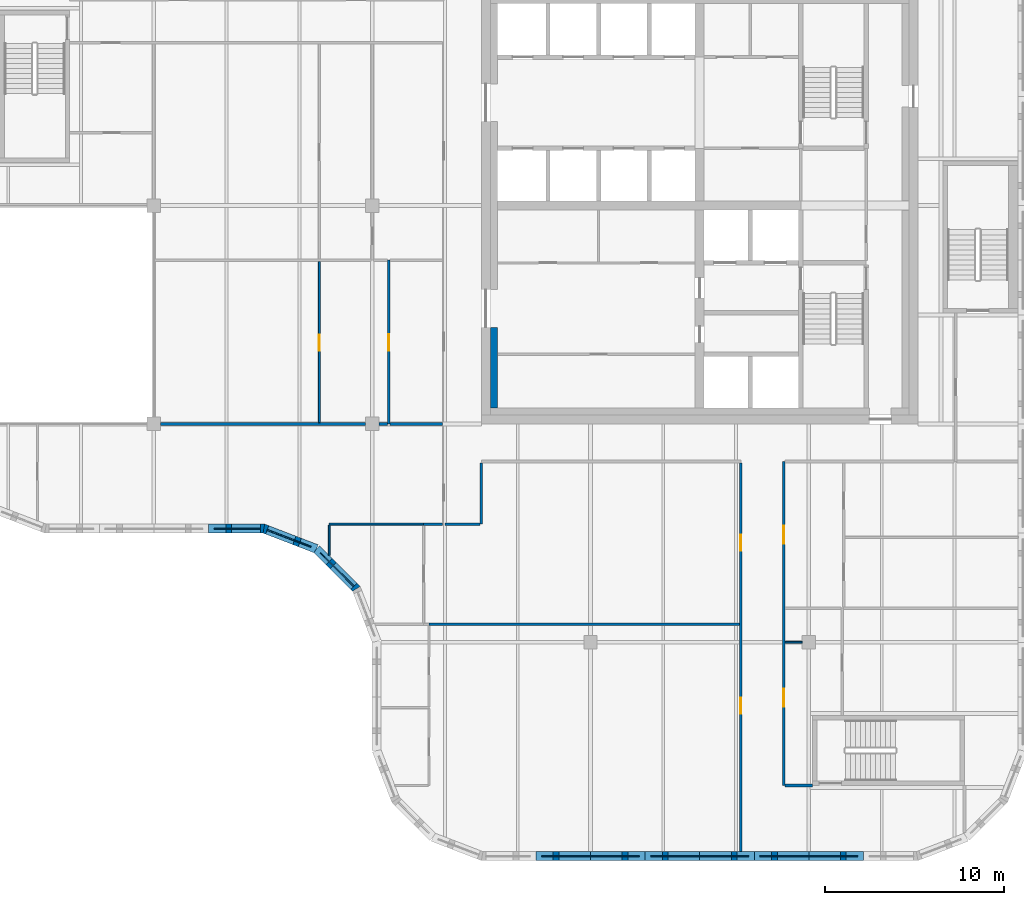
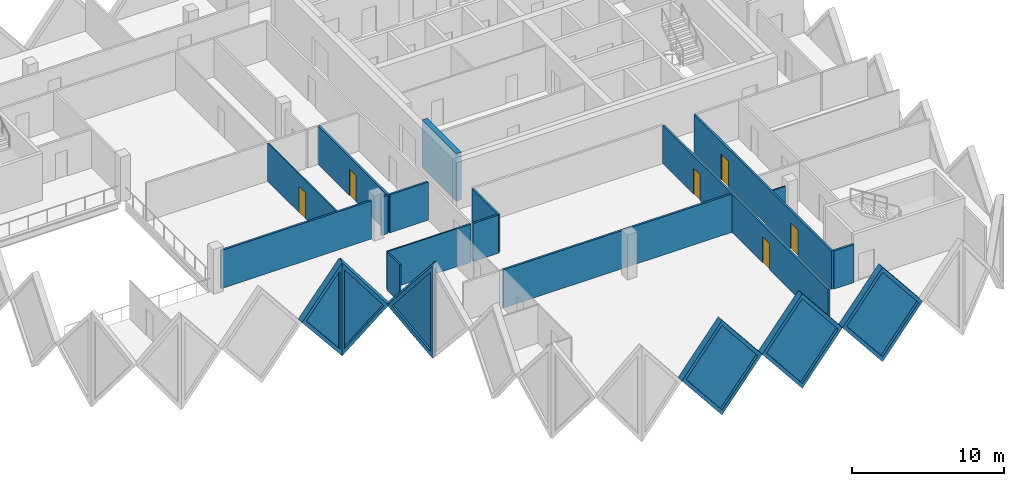
# One storey, part 4 of 11: 22 walls, 6 doors, 6 plates, 12 openings.
"""IFC4 building model written with IfcOpenShell, lengths in metres."""

from ifc_helpers import new_model, si_unit, direction, frame, frame_2d, origin, place, context, subcontext, project, spatial, polyline, rectangle, outline, extrude, faceted_brep, source, transform, mapped, material, layer, layer_set, type_object, element, fill, save


model = new_model("IFC4")

# Units and contexts
model_context = context("Model", 3, precision=1e-05, world=origin(), true_north=direction((0.0, 1.0)))
body_context = subcontext(model_context, "Body", "Model", "MODEL_VIEW")
ifc_project = project(units=[si_unit("LENGTHUNIT", "METRE"), si_unit("AREAUNIT", "SQUARE_METRE"), si_unit("VOLUMEUNIT", "CUBIC_METRE"), si_unit("PLANEANGLEUNIT", "RADIAN"), si_unit("MASSUNIT", "GRAM", prefix="KILO")], contexts=[model_context])

# Site, building, storey
site_placement = place(None, origin())
site = spatial("IfcSite", under=ifc_project, at=site_placement, CompositionType="ELEMENT")
building_placement = place(site_placement, origin())
building = spatial("IfcBuilding", under=site, at=building_placement, Name="Tessera Gate Towers", CompositionType="ELEMENT")
storey_placement = place(building_placement, frame((0.0, 0.0, 205.5)))
storey = spatial("IfcBuildingStorey", under=building, at=storey_placement, Name="L51", CompositionType="ELEMENT", Elevation=205.5)

# Wall
ifc_material_1 = material(Name="Concrete C50/60", Category="concrete")
ifc_layer_1 = layer(ifc_material_1, 0.39990234375)
ifc_layer_set_1 = layer_set([ifc_layer_1], Name="CORE WALL THICKENING 400")
wall_type_1 = type_object("IfcWallType", Name="CORE WALL THICKENING 400", PredefinedType="SOLIDWALL", material=ifc_layer_set_1)
wall_1_placement = place(storey_placement, frame((31.199951171875, 25.300048828125, 0.0), z_axis=(0.0, 0.0, 1.0), x_axis=(0.0, 1.0, 0.0)))
element("IfcWall", 1, at=wall_1_placement, inside=storey, type_object=wall_type_1, Name="Core wall thickening W L51", PredefinedType="SOLIDWALL", context=body_context, shape_type="SweptSolid", body=[
    extrude(rectangle(XDim=4.5, YDim=0.39990234375, at=frame_2d((2.25, 0.0))), origin(), (0.0, 0.0, 1.0), 3.800048828125),
])

# Wall, openings, doors
ifc_material_2 = material(Name="Gypsum board on steel studs, mineral wool", Category="steel")
ifc_layer_2 = layer(ifc_material_2, 0.14990234375)
ifc_layer_set_2 = layer_set([ifc_layer_2], Name="CORRIDOR WALL 150")
wall_type_2 = type_object("IfcWallType", Name="CORRIDOR WALL 150", PredefinedType="PARTITIONING", material=ifc_layer_set_2)
wall_2_placement = place(storey_placement, frame((45.0, 0.5, 0.0), z_axis=(0.0, 0.0, 1.0), x_axis=(0.0, 1.0, 0.0)))
wall_2 = element("IfcWall", 2, at=wall_2_placement, inside=storey, type_object=wall_type_2, Name="T1-L51-PW-001", PredefinedType="PARTITIONING", context=body_context, shape_type="SweptSolid", body=[
    extrude(rectangle(XDim=21.72412109375, YDim=0.14990234375, at=frame_2d((10.862060546875, 0.0))), origin(), (0.0, 0.0, 1.0), 3.06689453125),
])
shared_shape_1 = source(origin(), body_context, "Body", "SweptSolid", [
    extrude(rectangle(XDim=0.89990234375, YDim=2.10009765625, at=frame_2d((0.449951171875, 1.050048828125))), frame((0.0, 0.0849609375, 0.0), z_axis=(0.0, -1.0, 0.0), x_axis=(1.0, 0.0, 0.0)), (0.0, 0.0, 1.0), 0.169921875),
])
opening_1_placement = place(wall_2_placement, frame((7.699951171875, 0.0, 0.0)))
opening_1 = element("IfcOpeningElement", 3, at=opening_1_placement, cuts=wall_2, Name="Opening D890FD60-A18-03", PredefinedType="OPENING", context=body_context, shape_type="MappedRepresentation", body=[
    mapped(shared_shape_1, transform((0.0, 0.0, 0.0), scale=1.0)),
])
opening_2_placement = place(wall_2_placement, frame((16.800048828125, 0.0, 0.0)))
opening_2 = element("IfcOpeningElement", 4, at=opening_2_placement, cuts=wall_2, Name="Opening D890FD60-A18-04", PredefinedType="OPENING", context=body_context, shape_type="MappedRepresentation", body=[
    mapped(shared_shape_1, transform((0.0, 0.0, 0.0), scale=1.0)),
])
ifc_material_3 = material(Name="Timber door leaf in steel frame", Category="steel")
door_type_1 = type_object("IfcDoorType", Name="CORRIDOR DOOR 900 FD60", OperationType="NOTDEFINED", PredefinedType="DOOR", material=ifc_material_3)
shared_shape_2 = source(origin(), body_context, "Body", "SweptSolid", [
    extrude(rectangle(XDim=0.89990234375, YDim=2.10009765625, at=frame_2d((0.449951171875, 1.050048828125))), frame((0.0, 0.02490234375, 0.0), z_axis=(0.0, -1.0, 0.0), x_axis=(1.0, 0.0, 0.0)), (0.0, 0.0, 1.0), 0.050048828125),
])
door_1_placement = place(opening_1_placement, origin())
door_1 = element("IfcDoor", 5, at=door_1_placement, inside=storey, type_object=door_type_1, Name="T1-L51-PD-015", OperationType="SINGLE_SWING_LEFT", OverallHeight=2.10009765625, OverallWidth=0.89990234375, PredefinedType="DOOR", context=body_context, shape_type="MappedRepresentation", body=[
    mapped(shared_shape_2, transform((0.0, 0.0, 0.0), scale=1.0)),
])
fill(opening_1, door_1)
door_2_placement = place(opening_2_placement, origin())
door_2 = element("IfcDoor", 6, at=door_2_placement, inside=storey, type_object=door_type_1, Name="T1-L51-PD-016", OperationType="SINGLE_SWING_LEFT", OverallHeight=2.10009765625, OverallWidth=0.89990234375, PredefinedType="DOOR", context=body_context, shape_type="MappedRepresentation", body=[
    mapped(shared_shape_2, transform((0.0, 0.0, 0.0), scale=1.0)),
])
fill(opening_2, door_2)

wall_3_placement = place(storey_placement, frame((47.39990234375, 22.300048828125, 0.0), z_axis=(0.0, 0.0, 1.0), x_axis=(0.0, -1.0, 0.0)))
wall_3 = element("IfcWall", 7, at=wall_3_placement, inside=storey, type_object=wall_type_2, Name="T1-L51-PW-005", PredefinedType="PARTITIONING", context=body_context, shape_type="SweptSolid", body=[
    extrude(rectangle(XDim=18.10009765625, YDim=0.14990234375, at=frame_2d((9.050048828125, 0.0))), origin(), (0.0, 0.0, 1.0), 3.06689453125),
])
shared_shape_3 = source(origin(), body_context, "Body", "SweptSolid", [
    extrude(rectangle(XDim=1.0, YDim=2.10009765625, at=frame_2d((0.5, 1.050048828125))), frame((0.0, 0.0849609375, 0.0), z_axis=(0.0, -1.0, 0.0), x_axis=(1.0, 0.0, 0.0)), (0.0, 0.0, 1.0), 0.169921875),
])
opening_3_placement = place(wall_3_placement, frame((3.59912109375, 0.0, 0.0)))
opening_3 = element("IfcOpeningElement", 8, at=opening_3_placement, cuts=wall_3, Name="Opening D2100FD60-A18-02", PredefinedType="OPENING", context=body_context, shape_type="MappedRepresentation", body=[
    mapped(shared_shape_3, transform((0.0, 0.0, 0.0), scale=1.0)),
])
opening_4_placement = place(wall_3_placement, frame((12.699951171875, 0.0, 0.0)))
opening_4 = element("IfcOpeningElement", 9, at=opening_4_placement, cuts=wall_3, Name="Opening D2100FD60-A18-05", PredefinedType="OPENING", context=body_context, shape_type="MappedRepresentation", body=[
    mapped(shared_shape_3, transform((0.0, 0.0, 0.0), scale=1.0)),
])
ifc_material_4 = material(Name="Timber door leaf in steel frame", Category="steel")
door_type_2 = type_object("IfcDoorType", Name="TENANCY ENTRANCE DOOR 1000 FD60", OperationType="NOTDEFINED", PredefinedType="DOOR", material=ifc_material_4)
shared_shape_4 = source(origin(), body_context, "Body", "SweptSolid", [
    extrude(rectangle(XDim=1.0, YDim=2.10009765625, at=frame_2d((0.5, 1.050048828125))), frame((0.0, 0.02490234375, 0.0), z_axis=(0.0, -1.0, 0.0), x_axis=(1.0, 0.0, 0.0)), (0.0, 0.0, 1.0), 0.050048828125),
])
door_3_placement = place(opening_3_placement, origin())
door_3 = element("IfcDoor", 10, at=door_3_placement, inside=storey, type_object=door_type_2, Name="T1-L51-PD-011", OperationType="SINGLE_SWING_RIGHT", OverallHeight=2.10009765625, OverallWidth=1.0, PredefinedType="DOOR", context=body_context, shape_type="MappedRepresentation", body=[
    mapped(shared_shape_4, transform((0.0, 0.0, 0.0), scale=1.0)),
])
fill(opening_3, door_3)
door_4_placement = place(opening_4_placement, origin())
door_4 = element("IfcDoor", 11, at=door_4_placement, inside=storey, type_object=door_type_2, Name="T1-L51-PD-021", OperationType="SINGLE_SWING_RIGHT", OverallHeight=2.10009765625, OverallWidth=1.0, PredefinedType="DOOR", context=body_context, shape_type="MappedRepresentation", body=[
    mapped(shared_shape_4, transform((0.0, 0.0, 0.0), scale=1.0)),
])
fill(opening_4, door_4)

# Walls
wall_4_placement = place(storey_placement, frame((47.47607421875, 4.199951171875, 0.0), z_axis=(0.0, 0.0, 1.0), x_axis=(1.0, 0.0, 0.0)))
element("IfcWall", 12, at=wall_4_placement, inside=storey, type_object=wall_type_2, Name="T1-L51-PW-006", PredefinedType="PARTITIONING", context=body_context, shape_type="SweptSolid", body=[
    extrude(rectangle(XDim=1.52392578125, YDim=0.14990234375, at=frame_2d((0.761962890625, 0.0))), origin(), (0.0, 0.0, 1.0), 3.06689453125),
])
wall_5_placement = place(storey_placement, frame((28.47607421875, 18.800048828125, 0.0), z_axis=(0.0, 0.0, 1.0), x_axis=(1.0, 0.0, 0.0)))
element("IfcWall", 13, at=wall_5_placement, inside=storey, type_object=wall_type_2, Name="T1-L51-PW-023", PredefinedType="PARTITIONING", context=body_context, shape_type="SweptSolid", body=[
    extrude(rectangle(XDim=1.947998046875, YDim=0.14990234375, at=frame_2d((0.97412109375, 0.0))), origin(), (0.0, 0.0, 1.0), 3.06689453125),
])
wall_6_placement = place(storey_placement, frame((30.5, 18.800048828125, 0.0), z_axis=(0.0, 0.0, 1.0), x_axis=(0.0, 1.0, 0.0)))
element("IfcWall", 14, at=wall_6_placement, inside=storey, type_object=wall_type_2, Name="T1-L51-PW-024", PredefinedType="PARTITIONING", context=body_context, shape_type="SweptSolid", body=[
    extrude(rectangle(XDim=3.424072265625, YDim=0.14990234375, at=frame_2d((1.7119140625, 0.0))), origin(), (0.0, 0.0, 1.0), 3.06689453125),
])
ifc_material_5 = material(Name="Glass", Category="glass")
ifc_layer_3 = layer(ifc_material_5, 0.10009765625)
ifc_layer_set_3 = layer_set([ifc_layer_3], Name="GLAZED PARTITION 100")
wall_type_3 = type_object("IfcWallType", Name="GLAZED PARTITION 100", PredefinedType="PARTITIONING", material=ifc_layer_set_3)
wall_7_placement = place(storey_placement, frame((22.0, 17.054931640625, 0.0), z_axis=(0.0, 0.0, 1.0), x_axis=(0.0, 1.0, 0.0)))
element("IfcWall", 15, at=wall_7_placement, inside=storey, type_object=wall_type_3, Name="T1-L51-PW-018", PredefinedType="PARTITIONING", context=body_context, shape_type="SweptSolid", body=[
    extrude(rectangle(XDim=1.694091796875, YDim=0.10009765625, at=frame_2d((0.84716796875, 0.0))), origin(), (0.0, 0.0, 1.0), 3.06689453125),
])
wall_8_placement = place(storey_placement, frame((22.0, 18.800048828125, 0.0), z_axis=(0.0, 0.0, 1.0), x_axis=(1.0, 0.0, 0.0)))
element("IfcWall", 16, at=wall_8_placement, inside=storey, type_object=wall_type_3, Name="T1-L51-PW-020", PredefinedType="PARTITIONING", context=body_context, shape_type="SweptSolid", body=[
    extrude(rectangle(XDim=5.27392578125, YDim=0.10009765625, at=frame_2d((2.636962890625, 0.0))), origin(), (0.0, 0.0, 1.0), 3.06689453125),
])
ifc_material_6 = material(Name="Gypsum board on steel studs", Category="steel")
ifc_layer_4 = layer(ifc_material_6, 0.10009765625)
ifc_layer_set_4 = layer_set([ifc_layer_4], Name="PARTITION 100")
wall_type_4 = type_object("IfcWallType", Name="PARTITION 100", PredefinedType="PARTITIONING", material=ifc_layer_set_4)
wall_9_placement = place(storey_placement, frame((48.425048828125, 12.199951171875, 0.0), z_axis=(0.0, 0.0, 1.0), x_axis=(-1.0, 0.0, 0.0)))
element("IfcWall", 17, at=wall_9_placement, inside=storey, type_object=wall_type_4, Name="T1-L51-PW-010", PredefinedType="PARTITIONING", context=body_context, shape_type="SweptSolid", body=[
    extrude(rectangle(XDim=0.949951171875, YDim=0.10009765625, at=frame_2d((0.47509765625, 0.0))), origin(), (0.0, 0.0, 1.0), 3.06689453125),
])

# Wall, opening, door
wall_10_placement = place(storey_placement, frame((21.449951171875, 24.47607421875, 0.0), z_axis=(0.0, 0.0, 1.0), x_axis=(0.0, 1.0, 0.0)))
wall_10 = element("IfcWall", 18, at=wall_10_placement, inside=storey, type_object=wall_type_4, Name="T1-L51-PW-034", PredefinedType="PARTITIONING", context=body_context, shape_type="SweptSolid", body=[
    extrude(rectangle(XDim=8.998046875, YDim=0.10009765625, at=frame_2d((4.4990234375, 0.0))), origin(), (0.0, 0.0, 1.0), 3.06689453125),
])
shared_shape_5 = source(origin(), body_context, "Body", "SweptSolid", [
    extrude(rectangle(XDim=0.89990234375, YDim=2.10009765625, at=frame_2d((0.449951171875, 1.050048828125))), frame((0.0, 0.06005859375, 0.0), z_axis=(0.0, -1.0, 0.0), x_axis=(1.0, 0.0, 0.0)), (0.0, 0.0, 1.0), 0.1201171875),
])
opening_5_placement = place(wall_10_placement, frame((4.0, 0.0, 0.0)))
opening_5 = element("IfcOpeningElement", 19, at=opening_5_placement, cuts=wall_10, Name="Opening D190-A18-05", PredefinedType="OPENING", context=body_context, shape_type="MappedRepresentation", body=[
    mapped(shared_shape_5, transform((0.0, 0.0, 0.0), scale=1.0)),
])
ifc_material_7 = material(Name="Timber door leaf in steel frame", Category="steel")
door_type_3 = type_object("IfcDoorType", Name="INTERNAL DOOR 900 NOT RATED", OperationType="NOTDEFINED", PredefinedType="DOOR", material=ifc_material_7)
door_5_placement = place(opening_5_placement, origin())
door_5 = element("IfcDoor", 20, at=door_5_placement, inside=storey, type_object=door_type_3, Name="T1-L51-PD-014", OperationType="SINGLE_SWING_LEFT", OverallHeight=2.10009765625, OverallWidth=0.89990234375, PredefinedType="DOOR", context=body_context, shape_type="MappedRepresentation", body=[
    mapped(shared_shape_2, transform((0.0, 0.0, 0.0), scale=1.0)),
])
fill(opening_5, door_5)

# Walls
ifc_material_8 = material(Name="Gypsum board on steel studs, mineral wool", Category="steel")
ifc_layer_5 = layer(ifc_material_8, 0.14990234375)
ifc_layer_set_5 = layer_set([ifc_layer_5], Name="TENANCY WALL 150")
wall_type_5 = type_object("IfcWallType", Name="TENANCY WALL 150", PredefinedType="PARTITIONING", material=ifc_layer_set_5)
wall_11_placement = place(storey_placement, frame((27.574951171875, 13.199951171875, 0.0), z_axis=(0.0, 0.0, 1.0), x_axis=(1.0, 0.0, 0.0)))
element("IfcWall", 21, at=wall_11_placement, inside=storey, type_object=wall_type_5, Name="T1-L51-PW-013", PredefinedType="PARTITIONING", context=body_context, shape_type="SweptSolid", body=[
    extrude(rectangle(XDim=17.34912109375, YDim=0.14990234375, at=frame_2d((8.674560546875, 0.0))), origin(), (0.0, 0.0, 1.0), 3.06689453125),
])
wall_12_placement = place(storey_placement, frame((27.27490234375, 18.800048828125, 0.0), z_axis=(0.0, 0.0, 1.0), x_axis=(1.0, 0.0, 0.0)))
element("IfcWall", 22, at=wall_12_placement, inside=storey, type_object=wall_type_5, Name="T1-L51-PW-021", PredefinedType="PARTITIONING", context=body_context, shape_type="SweptSolid", body=[
    extrude(rectangle(XDim=1.049072265625, YDim=0.14990234375, at=frame_2d((0.5244140625, 0.0))), origin(), (0.0, 0.0, 1.0), 3.06689453125),
])
wall_13_placement = place(storey_placement, frame((12.575927734375, 24.39990234375, 0.0), z_axis=(0.0, 0.0, 1.0), x_axis=(1.0, 0.0, 0.0)))
element("IfcWall", 23, at=wall_13_placement, inside=storey, type_object=wall_type_5, Name="T1-L51-PW-030", PredefinedType="PARTITIONING", context=body_context, shape_type="SweptSolid", body=[
    extrude(rectangle(XDim=11.447998046875, YDim=0.14990234375, at=frame_2d((5.72412109375, 0.0))), origin(), (0.0, 0.0, 1.0), 3.06689453125),
])
wall_14_placement = place(storey_placement, frame((24.77587890625, 24.39990234375, 0.0), z_axis=(0.0, 0.0, 1.0), x_axis=(1.0, 0.0, 0.0)))
element("IfcWall", 24, at=wall_14_placement, inside=storey, type_object=wall_type_5, Name="T1-L51-PW-031", PredefinedType="PARTITIONING", context=body_context, shape_type="SweptSolid", body=[
    extrude(rectangle(XDim=0.47314453125, YDim=0.14990234375, at=frame_2d((0.236572265625, 0.0))), origin(), (0.0, 0.0, 1.0), 3.06689453125),
])

# Wall, opening, door
wall_15_placement = place(storey_placement, frame((25.324951171875, 24.39990234375, 0.0), z_axis=(0.0, 0.0, 1.0), x_axis=(0.0, 1.0, 0.0)))
wall_15 = element("IfcWall", 25, at=wall_15_placement, inside=storey, type_object=wall_type_5, Name="T1-L51-PW-032", PredefinedType="PARTITIONING", context=body_context, shape_type="SweptSolid", body=[
    extrude(rectangle(XDim=9.150146484375, YDim=0.14990234375, at=frame_2d((4.5751953125, 0.0))), origin(), (0.0, 0.0, 1.0), 3.06689453125),
])
opening_6_placement = place(wall_15_placement, frame((4.10009765625, 0.0, 0.0)))
opening_6 = element("IfcOpeningElement", 26, at=opening_6_placement, cuts=wall_15, Name="Opening D190-A18-06", PredefinedType="OPENING", context=body_context, shape_type="MappedRepresentation", body=[
    mapped(shared_shape_1, transform((0.0, 0.0, 0.0), scale=1.0)),
])
door_6_placement = place(opening_6_placement, origin())
door_6 = element("IfcDoor", 27, at=door_6_placement, inside=storey, type_object=door_type_3, Name="T1-L51-PD-020", OperationType="SINGLE_SWING_LEFT", OverallHeight=2.10009765625, OverallWidth=0.89990234375, PredefinedType="DOOR", context=body_context, shape_type="MappedRepresentation", body=[
    mapped(shared_shape_2, transform((0.0, 0.0, 0.0), scale=1.0)),
])
fill(opening_6, door_6)

# Wall
wall_16_placement = place(storey_placement, frame((25.40087890625, 24.39990234375, 0.0), z_axis=(0.0, 0.0, 1.0), x_axis=(1.0, 0.0, 0.0)))
element("IfcWall", 28, at=wall_16_placement, inside=storey, type_object=wall_type_5, Name="T1-L51-PW-033", PredefinedType="PARTITIONING", context=body_context, shape_type="SweptSolid", body=[
    extrude(rectangle(XDim=2.923095703125, YDim=0.14990234375, at=frame_2d((1.46142578125, 0.0))), origin(), (0.0, 0.0, 1.0), 3.06689453125),
])

# Wall, opening, plate
ifc_material_9 = material(Name="Precast concrete C60/75 white", Category="concrete")
ifc_layer_6 = layer(ifc_material_9, 0.5)
ifc_layer_set_6 = layer_set([ifc_layer_6], Name="TS1 tessera")
wall_type_6 = type_object("IfcWallType", Name="TS1 tessera", PredefinedType="SOLIDWALL", material=ifc_layer_set_6)
shared_shape_6 = source(origin(), body_context, "Body", "Brep", [
    faceted_brep([(3.050048828125, -0.25, 0.0), (6.099853515625, -0.25, 3.7998046875), (6.099853515625, -0.25, 3.80029296875), (3.050048828125, -0.25, 7.60009765625), (0.0, -0.25, 3.800048828125), (0.0, 0.25, 3.800048828125), (3.050048828125, 0.25, 7.60009765625), (6.099853515625, 0.25, 3.80029296875), (6.099853515625, 0.25, 3.7998046875), (3.050048828125, 0.25, 0.0)], [[[0, 1, 2, 3, 4]], [[5, 6, 7, 8, 9]], [[9, 8, 1, 0]], [[7, 6, 3, 2]], [[6, 5, 4, 3]], [[5, 9, 0, 4]], [[1, 8, 7, 2]]]),
])
wall_17_placement = place(storey_placement, frame((33.550048828125, 0.25, -3.800048828125), z_axis=(0.0, 0.0, 1.0), x_axis=(1.0, 0.0, 0.0)))
wall_17 = element("IfcWall", 29, at=wall_17_placement, inside=storey, type_object=wall_type_6, Name="Precast tessera T1 TS1-0874", PredefinedType="SOLIDWALL", context=body_context, shape_type="MappedRepresentation", body=[
    mapped(shared_shape_6, transform((0.0, 0.0, 0.0), scale=1.0)),
])
shared_shape_7 = source(origin(), body_context, "Body", "SweptSolid", [
    extrude(outline(polyline([(3.050048828125, 0.3994140625), (5.779541015625, 3.800048828125), (3.050048828125, 7.20068359375), (0.320556640625, 3.800048828125), (3.050048828125, 0.3994140625)])), frame((0.0, 0.260009765625, 0.0), z_axis=(0.0, -1.0, 0.0), x_axis=(1.0, 0.0, 0.0)), (0.0, 0.0, 1.0), 0.52001953125),
])
opening_7_placement = place(wall_17_placement, origin())
opening_7 = element("IfcOpeningElement", 30, at=opening_7_placement, cuts=wall_17, Name="Opening T1-PL2-1788", PredefinedType="OPENING", context=body_context, shape_type="MappedRepresentation", body=[
    mapped(shared_shape_7, transform((0.0, 0.0, 0.0), scale=1.0)),
])
ifc_material_10 = material(Name="Low-e laminated glass", Category="glass")
ifc_layer_7 = layer(ifc_material_10, 0.06005859375)
ifc_layer_set_7 = layer_set([ifc_layer_7], Name="PL2 rhombic pane")
plate_type = type_object("IfcPlateType", Name="PL2 rhombic pane", PredefinedType="SHEET", material=ifc_layer_set_7)
shared_shape_8 = source(origin(), body_context, "Body", "SweptSolid", [
    extrude(outline(polyline([(3.050048828125, 0.3994140625), (5.779541015625, 3.800048828125), (3.050048828125, 7.20068359375), (0.320556640625, 3.800048828125), (3.050048828125, 0.3994140625)])), frame((0.0, 0.030029296875, 0.0), z_axis=(0.0, -1.0, 0.0), x_axis=(1.0, 0.0, 0.0)), (0.0, 0.0, 1.0), 0.06005859375),
])
plate_1_placement = place(opening_7_placement, origin())
plate_1 = element("IfcPlate", 31, at=plate_1_placement, inside=storey, type_object=plate_type, Name="Glass pane T1 PL2-1788", PredefinedType="SHEET", context=body_context, shape_type="MappedRepresentation", body=[
    mapped(shared_shape_8, transform((0.0, 0.0, 0.0), scale=1.0)),
])
fill(opening_7, plate_1)

shared_shape_9 = source(origin(), body_context, "Body", "SweptSolid", [
    extrude(outline(polyline([(3.050048828125, 0.0), (6.10009765625, 3.800048828125), (3.050048828125, 7.60009765625), (0.0, 3.800048828125), (3.050048828125, 0.0)])), frame((0.0, 0.25, 0.0), z_axis=(0.0, -1.0, 0.0), x_axis=(1.0, 0.0, 0.0)), (0.0, 0.0, 1.0), 0.5),
])
wall_18_placement = place(storey_placement, frame((39.64990234375, 0.25, -3.800048828125), z_axis=(0.0, 0.0, 1.0), x_axis=(1.0, 0.0, 0.0)))
wall_18 = element("IfcWall", 32, at=wall_18_placement, inside=storey, type_object=wall_type_6, Name="Precast tessera T1 TS1-0875", PredefinedType="SOLIDWALL", context=body_context, shape_type="MappedRepresentation", body=[
    mapped(shared_shape_9, transform((0.0, 0.0, 0.0), scale=1.0)),
])
opening_8_placement = place(wall_18_placement, origin())
opening_8 = element("IfcOpeningElement", 33, at=opening_8_placement, cuts=wall_18, Name="Opening T1-PL2-1789", PredefinedType="OPENING", context=body_context, shape_type="MappedRepresentation", body=[
    mapped(shared_shape_7, transform((0.0, 0.0, 0.0), scale=1.0)),
])
plate_2_placement = place(opening_8_placement, origin())
plate_2 = element("IfcPlate", 34, at=plate_2_placement, inside=storey, type_object=plate_type, Name="Glass pane T1 PL2-1789", PredefinedType="SHEET", context=body_context, shape_type="MappedRepresentation", body=[
    mapped(shared_shape_8, transform((0.0, 0.0, 0.0), scale=1.0)),
])
fill(opening_8, plate_2)

wall_19_placement = place(storey_placement, frame((45.75, 0.25, -3.800048828125), z_axis=(0.0, 0.0, 1.0), x_axis=(1.0, 0.0, 0.0)))
wall_19 = element("IfcWall", 35, at=wall_19_placement, inside=storey, type_object=wall_type_6, Name="Precast tessera T1 TS1-0876", PredefinedType="SOLIDWALL", context=body_context, shape_type="MappedRepresentation", body=[
    mapped(shared_shape_9, transform((0.0, 0.0, 0.0), scale=1.0)),
])
opening_9_placement = place(wall_19_placement, origin())
opening_9 = element("IfcOpeningElement", 36, at=opening_9_placement, cuts=wall_19, Name="Opening T1-PL2-1790", PredefinedType="OPENING", context=body_context, shape_type="MappedRepresentation", body=[
    mapped(shared_shape_7, transform((0.0, 0.0, 0.0), scale=1.0)),
])
plate_3_placement = place(opening_9_placement, origin())
plate_3 = element("IfcPlate", 37, at=plate_3_placement, inside=storey, type_object=plate_type, Name="Glass pane T1 PL2-1790", PredefinedType="SHEET", context=body_context, shape_type="MappedRepresentation", body=[
    mapped(shared_shape_8, transform((0.0, 0.0, 0.0), scale=1.0)),
])
fill(opening_9, plate_3)

ifc_material_11 = material(Name="Precast concrete C60/75 white", Category="concrete")
ifc_layer_8 = layer(ifc_material_11, 0.5)
ifc_layer_set_8 = layer_set([ifc_layer_8], Name="TS3 corner tessera")
wall_type_7 = type_object("IfcWallType", Name="TS3 corner tessera", PredefinedType="SOLIDWALL", material=ifc_layer_set_8)
shared_shape_10 = source(origin(), body_context, "Body", "Brep", [
    faceted_brep([(3.050048828125, -0.25, 7.543212890625), (0.0, -0.25, 3.800048828125), (3.050048828125, -0.25, 0.056884765625), (0.0, 0.25, 3.800048828125), (3.096435546875, 0.25, 7.60009765625), (3.14306640625, 0.25, 7.543701171875), (3.14306640625, 0.25, 0.056396484375), (3.096435546875, 0.25, 0.0), (3.096435546875, -0.00048828125, 0.0), (3.096435546875, -0.00048828125, 7.60009765625)], [[[0, 1, 2]], [[3, 4, 5, 6, 7]], [[7, 6, 8]], [[5, 4, 9]], [[4, 3, 1, 0, 9]], [[3, 7, 8, 2, 1]], [[2, 8, 6, 5, 9, 0]]]),
])
wall_20_placement = place(storey_placement, frame((15.25, 18.550048828125, -3.800048828125), z_axis=(0.0, 0.0, 1.0), x_axis=(1.0, 0.0, 0.0)))
wall_20 = element("IfcWall", 38, at=wall_20_placement, inside=storey, type_object=wall_type_7, Name="Precast corner tessera T1 TS3-1195", PredefinedType="SOLIDWALL", context=body_context, shape_type="MappedRepresentation", body=[
    mapped(shared_shape_10, transform((0.0, 0.0, 0.0), scale=1.0)),
])
shared_shape_11 = source(origin(), body_context, "Body", "SweptSolid", [
    extrude(outline(polyline([(2.896484375, 6.958740234375), (0.322509765625, 3.800048828125), (2.896484375, 0.641357421875), (2.896484375, 6.958740234375)])), frame((0.0, 0.260009765625, 0.0), z_axis=(0.0, -1.0, 0.0), x_axis=(1.0, 0.0, 0.0)), (0.0, 0.0, 1.0), 0.52001953125),
])
opening_10_placement = place(wall_20_placement, origin())
opening_10 = element("IfcOpeningElement", 39, at=opening_10_placement, cuts=wall_20, Name="Opening T1-PL2-1826", PredefinedType="OPENING", context=body_context, shape_type="MappedRepresentation", body=[
    mapped(shared_shape_11, transform((0.0, 0.0, 0.0), scale=1.0)),
])
shared_shape_12 = source(origin(), body_context, "Body", "SweptSolid", [
    extrude(outline(polyline([(2.896484375, 6.958740234375), (0.322509765625, 3.800048828125), (2.896484375, 0.641357421875), (2.896484375, 6.958740234375)])), frame((0.0, 0.030029296875, 0.0), z_axis=(0.0, -1.0, 0.0), x_axis=(1.0, 0.0, 0.0)), (0.0, 0.0, 1.0), 0.06005859375),
])
plate_4_placement = place(opening_10_placement, origin())
plate_4 = element("IfcPlate", 40, at=plate_4_placement, inside=storey, type_object=plate_type, Name="Glass pane T1 PL2-1826", PredefinedType="SHEET", context=body_context, shape_type="MappedRepresentation", body=[
    mapped(shared_shape_12, transform((0.0, 0.0, 0.0), scale=1.0)),
])
fill(opening_10, plate_4)

shared_shape_13 = source(origin(), body_context, "Body", "Brep", [
    faceted_brep([(0.09326171875, -0.25, 0.05615234375), (3.14306640625, -0.25, 3.736328125), (3.14306640625, -0.25, 3.86376953125), (0.09326171875, -0.25, 7.5439453125), (0.0, 0.25, 7.54296875), (0.046630859375, 0.25, 7.60009765625), (3.196044921875, 0.25, 3.800048828125), (0.046630859375, 0.25, 0.0), (0.0, 0.25, 0.05712890625), (3.196044921875, -0.000244140625, 3.800048828125), (0.046630859375, 0.0, 0.0), (0.046630859375, 0.0, 7.60009765625)], [[[0, 1, 2, 3]], [[4, 5, 6, 7, 8]], [[7, 6, 9, 1, 0, 10]], [[6, 5, 11, 3, 2, 9]], [[5, 4, 11]], [[8, 7, 10]], [[8, 10, 0, 3, 11, 4]], [[1, 9, 2]]]),
])
wall_21_placement = place(storey_placement, frame((18.302978515625, 18.56689453125, -3.800048828125), z_axis=(0.0, 0.0, 1.0), x_axis=(0.932978940178, -0.359930961693, 0.0)))
wall_21 = element("IfcWall", 41, at=wall_21_placement, inside=storey, type_object=wall_type_7, Name="Precast corner tessera T1 TS3-1196", PredefinedType="SOLIDWALL", context=body_context, shape_type="MappedRepresentation", body=[
    mapped(shared_shape_13, transform((0.0, 0.0, 0.0), scale=1.0)),
])
shared_shape_14 = source(origin(), body_context, "Body", "SweptSolid", [
    extrude(outline(polyline([(0.24658203125, 0.633056640625), (2.871337890625, 3.800048828125), (0.24658203125, 6.967041015625), (0.24658203125, 0.633056640625)])), frame((0.0, 0.260009765625, 0.0), z_axis=(0.0, -1.0, 0.0), x_axis=(1.0, 0.0, 0.0)), (0.0, 0.0, 1.0), 0.52001953125),
])
opening_11_placement = place(wall_21_placement, origin())
opening_11 = element("IfcOpeningElement", 42, at=opening_11_placement, cuts=wall_21, Name="Opening T1-PL2-1827", PredefinedType="OPENING", context=body_context, shape_type="MappedRepresentation", body=[
    mapped(shared_shape_14, transform((0.0, 0.0, 0.0), scale=1.0)),
])
shared_shape_15 = source(origin(), body_context, "Body", "SweptSolid", [
    extrude(outline(polyline([(0.24658203125, 0.633056640625), (2.871337890625, 3.800048828125), (0.24658203125, 6.967041015625), (0.24658203125, 0.633056640625)])), frame((0.0, 0.030029296875, 0.0), z_axis=(0.0, -1.0, 0.0), x_axis=(1.0, 0.0, 0.0)), (0.0, 0.0, 1.0), 0.06005859375),
])
plate_5_placement = place(opening_11_placement, origin())
plate_5 = element("IfcPlate", 43, at=plate_5_placement, inside=storey, type_object=plate_type, Name="Glass pane T1 PL2-1827", PredefinedType="SHEET", context=body_context, shape_type="MappedRepresentation", body=[
    mapped(shared_shape_15, transform((0.0, 0.0, 0.0), scale=1.0)),
])
fill(opening_11, plate_5)

shared_shape_16 = source(origin(), body_context, "Body", "Brep", [
    faceted_brep([(3.10302734375, -0.25, 7.536376953125), (0.052978515625, -0.25, 3.86376953125), (0.052978515625, -0.25, 3.736328125), (3.10302734375, -0.25, 0.063720703125), (0.0, 0.25, 3.800048828125), (3.15576171875, 0.25, 7.60009765625), (3.208740234375, 0.25, 7.5361328125), (3.208740234375, 0.25, 0.06396484375), (3.15576171875, 0.25, 0.0), (3.15576171875, -0.00048828125, 0.0), (3.15576171875, -0.00048828125, 7.60009765625), (0.0, 0.0, 3.800048828125)], [[[0, 1, 2, 3]], [[4, 5, 6, 7, 8]], [[8, 7, 9]], [[6, 5, 10]], [[5, 4, 11, 1, 0, 10]], [[4, 8, 9, 3, 2, 11]], [[11, 2, 1]], [[3, 9, 7, 6, 10, 0]]]),
])
wall_22_placement = place(storey_placement, frame((21.284912109375, 17.41650390625, -3.800048828125), z_axis=(0.0, 0.0, 1.0), x_axis=(0.707106781187, -0.707106781187, 0.0)))
wall_22 = element("IfcWall", 44, at=wall_22_placement, inside=storey, type_object=wall_type_7, Name="Precast corner tessera T1 TS3-1197", PredefinedType="SOLIDWALL", context=body_context, shape_type="MappedRepresentation", body=[
    mapped(shared_shape_16, transform((0.0, 0.0, 0.0), scale=1.0)),
])
shared_shape_17 = source(origin(), body_context, "Body", "SweptSolid", [
    extrude(outline(polyline([(2.955810546875, 6.968017578125), (0.324951171875, 3.800048828125), (2.955810546875, 0.632080078125), (2.955810546875, 6.968017578125)])), frame((0.0, 0.260009765625, 0.0), z_axis=(0.0, -1.0, 0.0), x_axis=(1.0, 0.0, 0.0)), (0.0, 0.0, 1.0), 0.52001953125),
])
opening_12_placement = place(wall_22_placement, origin())
opening_12 = element("IfcOpeningElement", 45, at=opening_12_placement, cuts=wall_22, Name="Opening T1-PL2-1828", PredefinedType="OPENING", context=body_context, shape_type="MappedRepresentation", body=[
    mapped(shared_shape_17, transform((0.0, 0.0, 0.0), scale=1.0)),
])
shared_shape_18 = source(origin(), body_context, "Body", "SweptSolid", [
    extrude(outline(polyline([(2.955810546875, 6.968017578125), (0.324951171875, 3.800048828125), (2.955810546875, 0.632080078125), (2.955810546875, 6.968017578125)])), frame((0.0, 0.030029296875, 0.0), z_axis=(0.0, -1.0, 0.0), x_axis=(1.0, 0.0, 0.0)), (0.0, 0.0, 1.0), 0.06005859375),
])
plate_6_placement = place(opening_12_placement, origin())
plate_6 = element("IfcPlate", 46, at=plate_6_placement, inside=storey, type_object=plate_type, Name="Glass pane T1 PL2-1828", PredefinedType="SHEET", context=body_context, shape_type="MappedRepresentation", body=[
    mapped(shared_shape_18, transform((0.0, 0.0, 0.0), scale=1.0)),
])
fill(opening_12, plate_6)

save(model, "model.ifc")
